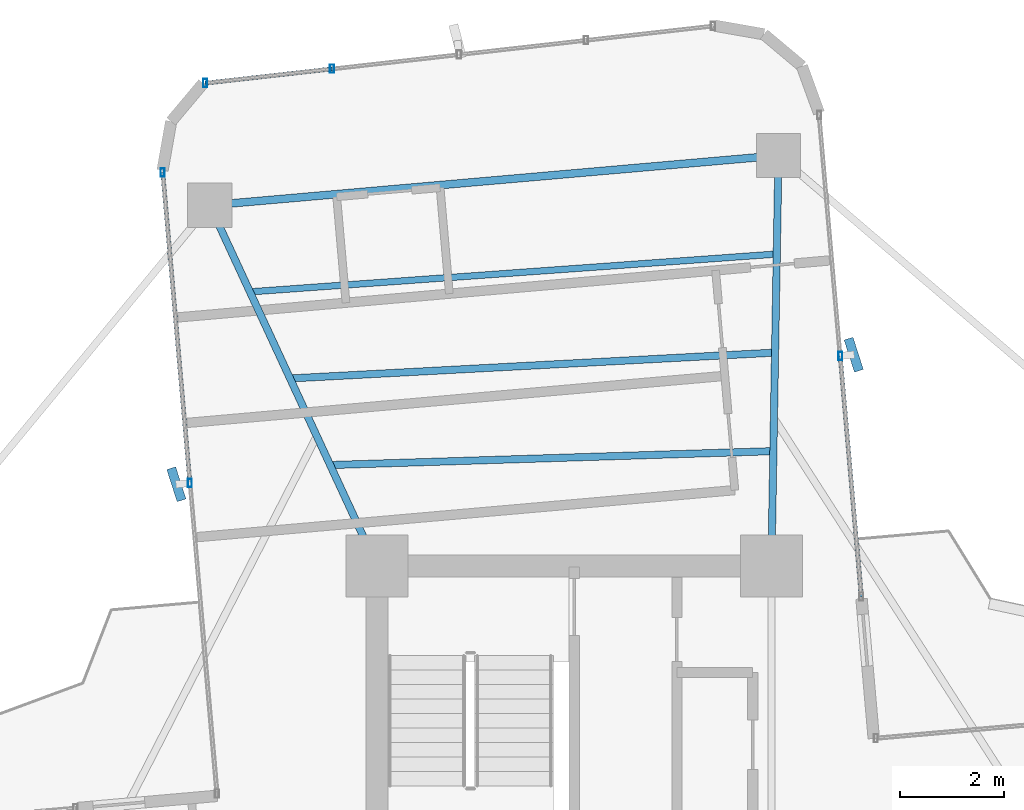
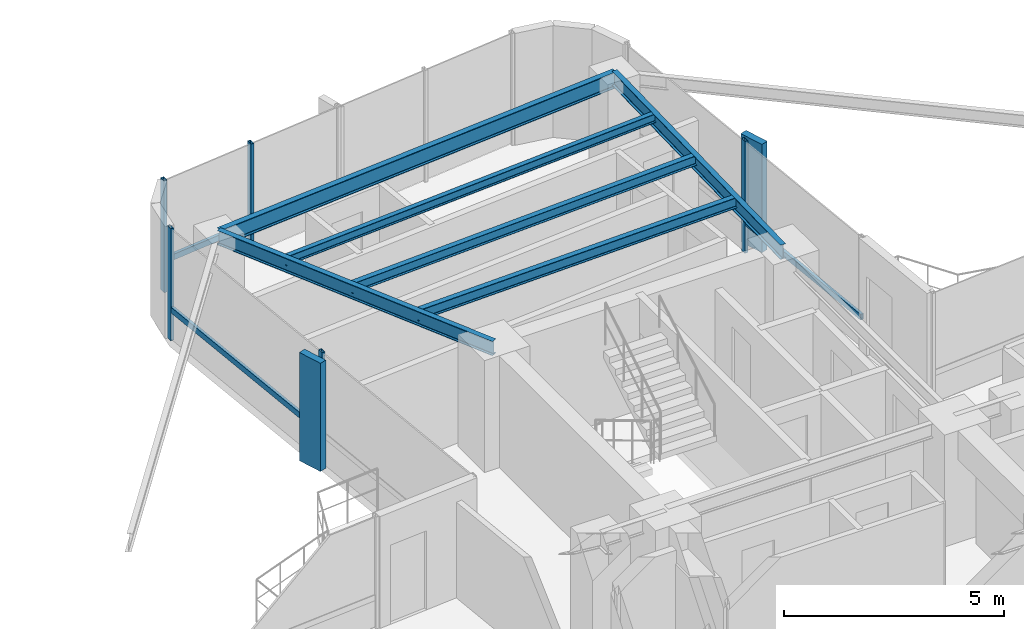
# One storey, part 16 of 24: 10 members, 6 beams, 3 elements without a shape of their own.
"""IFC4 building model written with IfcOpenShell, lengths in metres."""

from ifc_helpers import new_model, si_unit, direction, frame, origin, origin_2d, place, context, subcontext, project, spatial, rectangle, hollow_rectangle, i_section, extrude, source, transform, mapped, material, material_profile, profile_set, type_object, element, aggregate, save


model = new_model("IFC4")

# Units and contexts
model_context = context("Model", 3, precision=1e-05, world=origin(), true_north=direction((0.0, 1.0)))
body_context = subcontext(model_context, "Body", "Model", "MODEL_VIEW")
ifc_project = project(units=[si_unit("LENGTHUNIT", "METRE"), si_unit("AREAUNIT", "SQUARE_METRE"), si_unit("VOLUMEUNIT", "CUBIC_METRE"), si_unit("PLANEANGLEUNIT", "RADIAN"), si_unit("MASSUNIT", "GRAM", prefix="KILO")], contexts=[model_context])

# Site, building, storey
site_placement = place(None, origin())
site = spatial("IfcSite", under=ifc_project, at=site_placement, CompositionType="ELEMENT")
building_placement = place(site_placement, origin())
building = spatial("IfcBuilding", under=site, at=building_placement, Name="Sahyath Konkavel Grand Hotel", CompositionType="ELEMENT")
storey_placement = place(building_placement, frame((0.0, 0.0, 175.199951171875)))
storey = spatial("IfcBuildingStorey", under=building, at=storey_placement, Name="L48", CompositionType="ELEMENT", Elevation=175.199951171875)

# Beams
ifc_material_1 = material(Name="Steel E350", Category="steel")
ifc_material_profile_1 = material_profile(ifc_material_1, i_section(OverallWidth=0.139892578125, OverallDepth=0.39990234375, WebThickness=0.0087890625, FlangeThickness=0.01611328125, FilletRadius=0.013916015625, at=origin_2d()), Name="ISMB 400")
ifc_profile_set_1 = profile_set([ifc_material_profile_1], Name="Steel E350")
beam_type_1 = type_object("IfcBeamType", Name="BM-ISMB400", PredefinedType="BEAM", material=ifc_profile_set_1)
shared_shape_1 = source(origin(), body_context, "Body", "SweptSolid", [
    extrude(i_section(OverallWidth=0.139892578125, OverallDepth=0.39990234375, WebThickness=0.0087890625, FlangeThickness=0.01611328125, FilletRadius=0.013916015625, at=origin_2d()), origin(), (0.0, 0.0, 1.0), 7.913330078125),
])
beam_1_placement = place(storey_placement, frame((3.800048828125, 10.199951171875, 2.91015625), z_axis=(0.017215419232, 0.999851803689, 0.0), x_axis=(-0.999851803689, 0.017215419232, 0.0)))
element("IfcBeam", 1, at=beam_1_placement, inside=storey, type_object=beam_type_1, Name="L48 Cruciform Radial Girder NA", PredefinedType="BEAM", context=body_context, shape_type="MappedRepresentation", body=[
    mapped(shared_shape_1, transform((0.0, 0.0, 0.0), scale=1.0)),
])
shared_shape_2 = source(origin(), body_context, "Body", "SweptSolid", [
    extrude(i_section(OverallWidth=0.139892578125, OverallDepth=0.39990234375, WebThickness=0.0087890625, FlangeThickness=0.01611328125, FilletRadius=0.013916015625, at=origin_2d()), origin(), (0.0, 0.0, 1.0), 7.66357421875),
])
beam_2_placement = place(storey_placement, frame((-3.800048828125, 10.199951171875, 2.91015625), z_axis=(-0.420395127561, 0.907341135804, 0.0), x_axis=(-0.907341135804, -0.420395127561, 0.0)))
element("IfcBeam", 2, at=beam_2_placement, inside=storey, type_object=beam_type_1, Name="L48 Cruciform Radial Girder NB", PredefinedType="BEAM", context=body_context, shape_type="MappedRepresentation", body=[
    mapped(shared_shape_2, transform((0.0, 0.0, 0.0), scale=1.0)),
])
ifc_material_profile_2 = material_profile(ifc_material_1, i_section(OverallWidth=0.14990234375, OverallDepth=0.449951171875, WebThickness=0.009521484375, FlangeThickness=0.017333984375, FilletRadius=0.014892578125, at=origin_2d()), Name="ISMB 450")
ifc_profile_set_2 = profile_set([ifc_material_profile_2], Name="Steel E350")
beam_type_2 = type_object("IfcBeamType", Name="BM-ISMB450", PredefinedType="BEAM", material=ifc_profile_set_2)
shared_shape_3 = source(origin(), body_context, "Body", "SweptSolid", [
    extrude(i_section(OverallWidth=0.14990234375, OverallDepth=0.449951171875, WebThickness=0.009521484375, FlangeThickness=0.017333984375, FilletRadius=0.014892578125, at=origin_2d()), origin(), (0.0, 0.0, 1.0), 10.999755859375),
])
beam_3_placement = place(storey_placement, frame((3.936279296875, 18.112060546875, 2.885009765625), z_axis=(-0.99619439202, -0.087159241098, 0.0), x_axis=(0.087159241098, -0.99619439202, 0.0)))
element("IfcBeam", 3, at=beam_3_placement, inside=storey, type_object=beam_type_2, Name="L48 Wing Tip Edge Beam N", PredefinedType="BEAM", context=body_context, shape_type="MappedRepresentation", body=[
    mapped(shared_shape_3, transform((0.0, 0.0, 0.0), scale=1.0)),
])
ifc_material_profile_3 = material_profile(ifc_material_1, i_section(OverallWidth=0.139892578125, OverallDepth=0.300048828125, WebThickness=0.0078125, FlangeThickness=0.01318359375, FilletRadius=0.013916015625, at=origin_2d()), Name="ISMB 300")
ifc_profile_set_3 = profile_set([ifc_material_profile_3], Name="Steel E350")
beam_type_3 = type_object("IfcBeamType", Name="BM-ISMB300", PredefinedType="BEAM", material=ifc_profile_set_3)
shared_shape_4 = source(origin(), body_context, "Body", "SweptSolid", [
    extrude(i_section(OverallWidth=0.139892578125, OverallDepth=0.300048828125, WebThickness=0.0078125, FlangeThickness=0.01318359375, FilletRadius=0.013916015625, at=origin_2d()), origin(), (0.0, 0.0, 1.0), 8.54443359375),
])
beam_4_placement = place(storey_placement, frame((3.838134765625, 12.415283203125, 2.9599609375), z_axis=(-0.999506849365, -0.031401561632, 0.0), x_axis=(0.031401561632, -0.999506849365, 0.0)))
element("IfcBeam", 4, at=beam_4_placement, inside=storey, type_object=beam_type_3, Name="L48 Secondary Floor Beam N-1", PredefinedType="BEAM", context=body_context, shape_type="MappedRepresentation", body=[
    mapped(shared_shape_4, transform((0.0, 0.0, 0.0), scale=1.0)),
])
ifc_material_profile_4 = material_profile(ifc_material_1, i_section(OverallWidth=0.139892578125, OverallDepth=0.27490234375, WebThickness=0.00634765625, FlangeThickness=0.0087890625, FilletRadius=0.012939453125, at=origin_2d()), Name="ISLB 275")
ifc_profile_set_4 = profile_set([ifc_material_profile_4], Name="Steel E350")
beam_type_4 = type_object("IfcBeamType", Name="BM-ISLB275", PredefinedType="BEAM", material=ifc_profile_set_4)
shared_shape_5 = source(origin(), body_context, "Body", "SweptSolid", [
    extrude(i_section(OverallWidth=0.139892578125, OverallDepth=0.27490234375, WebThickness=0.00634765625, FlangeThickness=0.0087890625, FilletRadius=0.012939453125, at=origin_2d()), origin(), (0.0, 0.0, 1.0), 9.359375),
])
beam_5_placement = place(storey_placement, frame((3.870849609375, 14.314208984375, 2.97265625), z_axis=(-0.998580397723, -0.053265272769, 0.0), x_axis=(0.053265272769, -0.998580397723, 0.0)))
element("IfcBeam", 5, at=beam_5_placement, inside=storey, type_object=beam_type_4, Name="L48 Secondary Floor Beam N-2", PredefinedType="BEAM", context=body_context, shape_type="MappedRepresentation", body=[
    mapped(shared_shape_5, transform((0.0, 0.0, 0.0), scale=1.0)),
])
ifc_material_profile_5 = material_profile(ifc_material_1, i_section(OverallWidth=0.125, OverallDepth=0.25, WebThickness=0.0068359375, FlangeThickness=0.012451171875, FilletRadius=0.012939453125, at=origin_2d()), Name="ISMB 250")
ifc_profile_set_5 = profile_set([ifc_material_profile_5], Name="Steel E350")
beam_type_5 = type_object("IfcBeamType", Name="BM-ISMB250", PredefinedType="BEAM", material=ifc_profile_set_5)
shared_shape_6 = source(origin(), body_context, "Body", "SweptSolid", [
    extrude(i_section(OverallWidth=0.125, OverallDepth=0.25, WebThickness=0.0068359375, FlangeThickness=0.012451171875, FilletRadius=0.012939453125, at=origin_2d()), origin(), (0.0, 0.0, 1.0), 10.178466796875),
])
beam_6_placement = place(storey_placement, frame((3.90380859375, 16.213134765625, 2.985107421875), z_axis=(-0.997435268886, -0.071574327683, 0.0), x_axis=(0.071574327683, -0.997435268886, 0.0)))
element("IfcBeam", 6, at=beam_6_placement, inside=storey, type_object=beam_type_5, Name="L48 Secondary Floor Beam N-3", PredefinedType="BEAM", context=body_context, shape_type="MappedRepresentation", body=[
    mapped(shared_shape_6, transform((0.0, 0.0, 0.0), scale=1.0)),
])

# Curtain wall, member
ifc_material_2 = material(Name="Anodised Bronze Aluminium & Low-E Glazing", Category="aluminium")
curtain_wall_type = type_object("IfcCurtainWallType", Name="CW-ZONE3", PredefinedType="NOTDEFINED", material=ifc_material_2)
curtain_wall_1_placement = place(storey_placement, origin())
curtain_wall_1 = element("IfcCurtainWall", 7, at=curtain_wall_1_placement, inside=storey, type_object=curtain_wall_type, Name="L48 Unitised Curtain Wall F8", PredefinedType="NOTDEFINED")
ifc_material_3 = material(Name="Warm Buff Sandstone Cladding on Concrete C50/60", Category="masonry")
ifc_material_profile_6 = material_profile(ifc_material_3, rectangle(XDim=0.179931640625, YDim=0.64990234375, at=origin_2d()), Name="FIN 180x650")
ifc_profile_set_6 = profile_set([ifc_material_profile_6], Name="Warm Buff Sandstone Cladding on Concrete C50/60")
member_type_1 = type_object("IfcMemberType", Name="FIN-SANDSTONE-650", PredefinedType="MULLION", material=ifc_profile_set_6)
shared_shape_7 = source(origin(), body_context, "Body", "SweptSolid", [
    extrude(rectangle(XDim=0.179931640625, YDim=0.64990234375, at=origin_2d()), origin(), (0.0, 0.0, 1.0), 3.010009765625),
])
member_1_placement = place(storey_placement, frame((5.386474609375, 14.273681640625, 0.050048828125), z_axis=(0.0, 0.0, 1.0), x_axis=(0.951648033235, 0.307190528564, 0.0)))
member_1 = element("IfcMember", 8, at=member_1_placement, type_object=member_type_1, Name="L48 Sandstone Vertical Solar Fin FIN F8-1", PredefinedType="MULLION", context=body_context, shape_type="MappedRepresentation", body=[
    mapped(shared_shape_7, transform((0.0, 0.0, 0.0), scale=1.0)),
])

curtain_wall_2_placement = place(storey_placement, origin())
curtain_wall_2 = element("IfcCurtainWall", 9, at=curtain_wall_2_placement, inside=storey, type_object=curtain_wall_type, Name="L48 Unitised Curtain Wall F15", PredefinedType="NOTDEFINED")
member_2_placement = place(storey_placement, frame((-7.66552734375, 11.776611328125, 0.050048828125), z_axis=(0.0, 0.0, 1.0), x_axis=(0.951648033235, 0.307190528564, 0.0)))
member_2 = element("IfcMember", 10, at=member_2_placement, type_object=member_type_1, Name="L48 Sandstone Vertical Solar Fin FIN F15-1", PredefinedType="MULLION", context=body_context, shape_type="MappedRepresentation", body=[
    mapped(shared_shape_7, transform((0.0, 0.0, 0.0), scale=1.0)),
])

# Member
ifc_material_4 = material(Name="Anodised Bronze Aluminium", Category="aluminium")
ifc_material_profile_7 = material_profile(ifc_material_4, hollow_rectangle(XDim=0.080078125, YDim=0.159912109375, WallThickness=0.006103515625, at=origin_2d()), Name="RHS 160x80x6")
ifc_profile_set_7 = profile_set([ifc_material_profile_7], Name="Anodised Bronze Aluminium")
member_type_2 = type_object("IfcMemberType", Name="CW-MUL-160", PredefinedType="MULLION", material=ifc_profile_set_7)
shared_shape_8 = source(origin(), body_context, "Body", "SweptSolid", [
    extrude(hollow_rectangle(XDim=0.080078125, YDim=0.159912109375, WallThickness=0.006103515625, at=origin_2d()), origin(), (0.0, 0.0, 1.0), 3.110107421875),
])
member_3_placement = place(storey_placement, frame((5.12744140625, 14.251220703125, 0.0), z_axis=(0.0, 0.0, 1.0), x_axis=(1.0, 0.0, 0.0)))
member_3 = element("IfcMember", 11, at=member_3_placement, type_object=member_type_2, Name="L48 Curtain Wall Mullion F8-1", PredefinedType="MULLION", context=body_context, shape_type="MappedRepresentation", body=[
    mapped(shared_shape_8, transform((0.0, 0.0, 0.0), scale=1.0)),
])

# Curtain wall, members
curtain_wall_3_placement = place(storey_placement, origin())
curtain_wall_3 = element("IfcCurtainWall", 12, at=curtain_wall_3_placement, inside=storey, type_object=curtain_wall_type, Name="L48 Unitised Curtain Wall F12", PredefinedType="NOTDEFINED")
member_4_placement = place(storey_placement, frame((-4.665771484375, 19.783203125, 0.0), z_axis=(0.0, 0.0, 1.0), x_axis=(1.0, 0.0, 0.0)))
member_4 = element("IfcMember", 13, at=member_4_placement, type_object=member_type_2, Name="L48 Curtain Wall Mullion F12-3", PredefinedType="MULLION", context=body_context, shape_type="MappedRepresentation", body=[
    mapped(shared_shape_8, transform((0.0, 0.0, 0.0), scale=1.0)),
])
member_5_placement = place(storey_placement, frame((-7.1123046875, 19.507568359375, 0.0), z_axis=(0.0, 0.0, 1.0), x_axis=(1.0, 0.0, 0.0)))
member_5 = element("IfcMember", 14, at=member_5_placement, type_object=member_type_2, Name="L48 Curtain Wall Mullion F12-4", PredefinedType="MULLION", context=body_context, shape_type="MappedRepresentation", body=[
    mapped(shared_shape_8, transform((0.0, 0.0, 0.0), scale=1.0)),
])

# Member
member_6_placement = place(storey_placement, frame((-7.930419921875, 17.78662109375, 0.0), z_axis=(0.0, 0.0, 1.0), x_axis=(1.0, 0.0, 0.0)))
member_6 = element("IfcMember", 15, at=member_6_placement, type_object=member_type_2, Name="L48 Curtain Wall Mullion F15-0", PredefinedType="MULLION", context=body_context, shape_type="MappedRepresentation", body=[
    mapped(shared_shape_8, transform((0.0, 0.0, 0.0), scale=1.0)),
])

member_7_placement = place(storey_placement, frame((-7.406494140625, 11.79931640625, 0.0), z_axis=(0.0, 0.0, 1.0), x_axis=(1.0, 0.0, 0.0)))
member_7 = element("IfcMember", 16, at=member_7_placement, type_object=member_type_2, Name="L48 Curtain Wall Mullion F15-1", PredefinedType="MULLION", context=body_context, shape_type="MappedRepresentation", body=[
    mapped(shared_shape_8, transform((0.0, 0.0, 0.0), scale=1.0)),
])

ifc_material_profile_8 = material_profile(ifc_material_4, hollow_rectangle(XDim=0.080078125, YDim=0.159912109375, WallThickness=0.006103515625, at=origin_2d()), Name="RHS 160x80x6")
ifc_profile_set_8 = profile_set([ifc_material_profile_8], Name="Anodised Bronze Aluminium")
member_type_3 = type_object("IfcMemberType", Name="CW-TRN-160", PredefinedType="USERDEFINED", material=ifc_profile_set_8)
shared_shape_9 = source(origin(), body_context, "Body", "SweptSolid", [
    extrude(hollow_rectangle(XDim=0.080078125, YDim=0.159912109375, WallThickness=0.006103515625, at=origin_2d()), origin(), (0.0, 0.0, 1.0), 4.66015625),
])
member_8_placement = place(storey_placement, frame((5.53369140625, 9.60888671875, 0.85009765625), z_axis=(-0.087176698736, 0.996192864458, 0.0), x_axis=(-0.996192864458, -0.087176698736, 0.0)))
member_8 = element("IfcMember", 17, at=member_8_placement, type_object=member_type_3, Name="L48 Curtain Wall Transom F8-0-spandrel", ObjectType="TRANSOM", PredefinedType="USERDEFINED", context=body_context, shape_type="MappedRepresentation", body=[
    mapped(shared_shape_9, transform((0.0, 0.0, 0.0), scale=1.0)),
])

aggregate(curtain_wall_1, [member_3, member_1, member_8])

shared_shape_10 = source(origin(), body_context, "Body", "SweptSolid", [
    extrude(hollow_rectangle(XDim=0.080078125, YDim=0.159912109375, WallThickness=0.006103515625, at=origin_2d()), origin(), (0.0, 0.0, 1.0), 2.4619140625),
])
member_9_placement = place(storey_placement, frame((-4.665771484375, 19.783203125, 0.85009765625), z_axis=(-0.993713263833, -0.111955121731, 0.0), x_axis=(0.111955121731, -0.993713263833, 0.0)))
member_9 = element("IfcMember", 18, at=member_9_placement, type_object=member_type_3, Name="L48 Curtain Wall Transom F12-3-spandrel", ObjectType="TRANSOM", PredefinedType="USERDEFINED", context=body_context, shape_type="MappedRepresentation", body=[
    mapped(shared_shape_10, transform((0.0, 0.0, 0.0), scale=1.0)),
])

aggregate(curtain_wall_3, [member_4, member_5, member_9])

shared_shape_11 = source(origin(), body_context, "Body", "SweptSolid", [
    extrude(hollow_rectangle(XDim=0.080078125, YDim=0.159912109375, WallThickness=0.006103515625, at=origin_2d()), origin(), (0.0, 0.0, 1.0), 6.01025390625),
])
member_10_placement = place(storey_placement, frame((-7.930419921875, 17.78662109375, 0.85009765625), z_axis=(0.087172997156, -0.996193188376, 0.0), x_axis=(0.996193188376, 0.087172997156, 0.0)))
member_10 = element("IfcMember", 19, at=member_10_placement, type_object=member_type_3, Name="L48 Curtain Wall Transom F15-0-spandrel", ObjectType="TRANSOM", PredefinedType="USERDEFINED", context=body_context, shape_type="MappedRepresentation", body=[
    mapped(shared_shape_11, transform((0.0, 0.0, 0.0), scale=1.0)),
])

aggregate(curtain_wall_2, [member_6, member_7, member_2, member_10])

save(model, "model.ifc")
